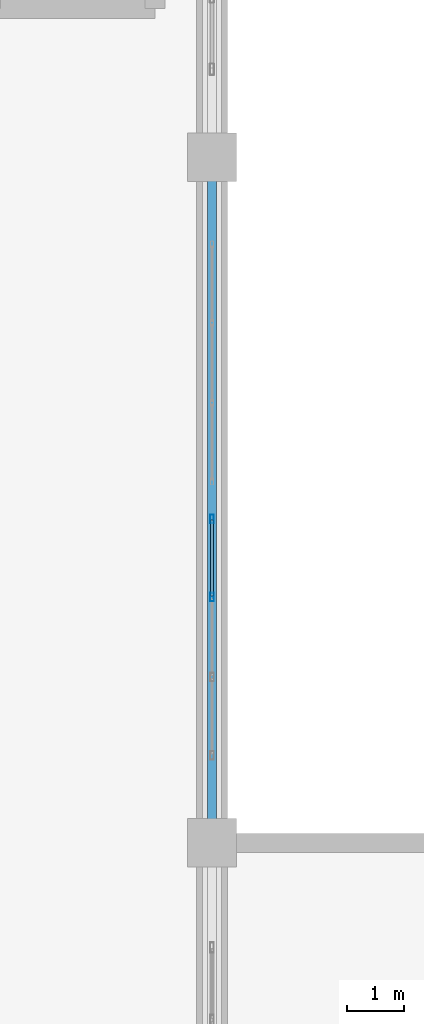
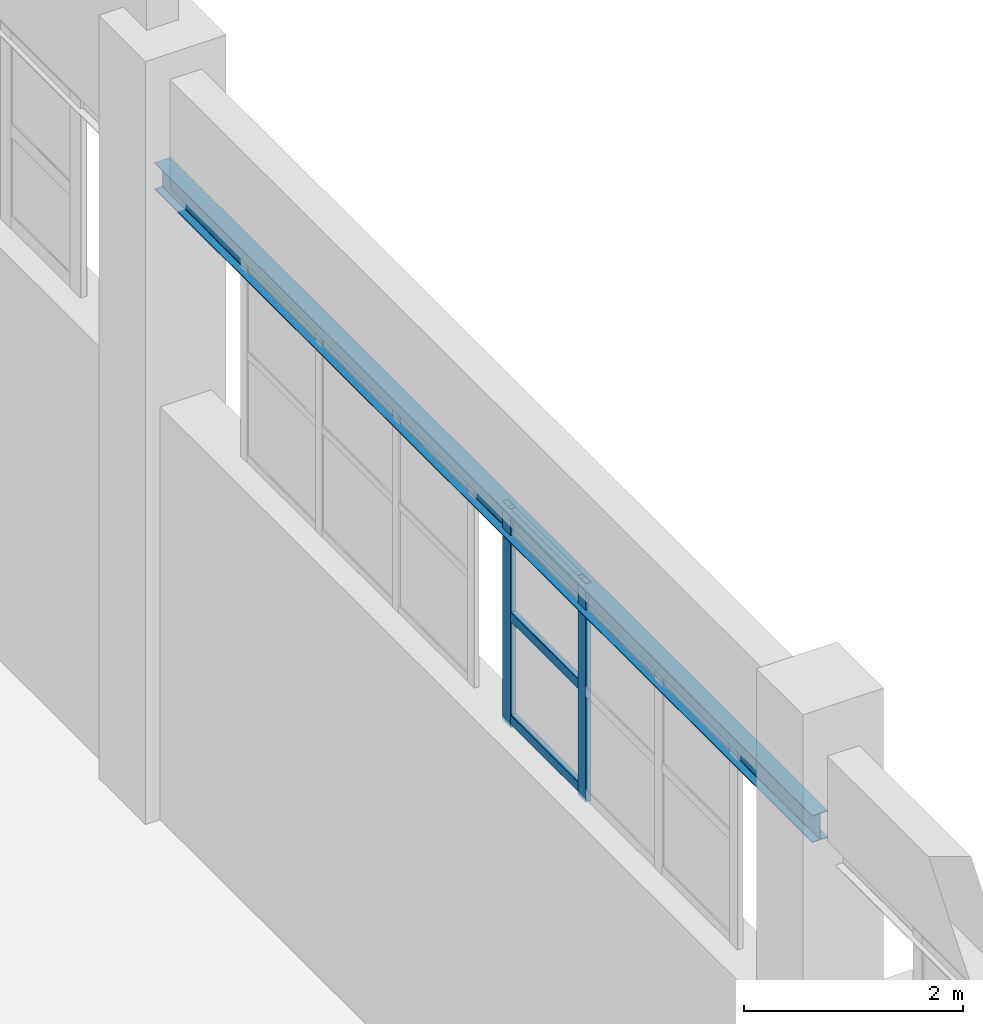
# One storey, part 59 of 97: 5 members, 1 beam, 1 element without a shape of its own.
"""IFC4 building model written with IfcOpenShell, lengths in metres."""

from ifc_helpers import new_model, si_unit, derived_unit, direction, frame, origin, origin_2d, place, context, subcontext, project, spatial, hollow_rectangle, i_section, extrude, material, layer, layer_set, material_profile, profile_set, type_object, element, aggregate, save


model = new_model("IFC4")

# Units and contexts
model_context = context("Model", 3, precision=1e-05, world=origin(), true_north=direction((0.0, 1.0)))
body_context = subcontext(model_context, "Body", "Model", "MODEL_VIEW")
ifc_project = project(units=[si_unit("LENGTHUNIT", "METRE"), si_unit("AREAUNIT", "SQUARE_METRE"), si_unit("VOLUMEUNIT", "CUBIC_METRE"), si_unit("PLANEANGLEUNIT", "RADIAN"), si_unit("MASSUNIT", "GRAM", prefix="KILO"), derived_unit("THERMALTRANSMITTANCEUNIT", [(si_unit("POWERUNIT", "WATT"), 1), (si_unit("LENGTHUNIT", "METRE"), -2), (si_unit("THERMODYNAMICTEMPERATUREUNIT", "KELVIN"), -1)])], contexts=[model_context])

# Site, building, storey
site_placement = place(None, origin())
site = spatial("IfcSite", under=ifc_project, at=site_placement, CompositionType="ELEMENT")
building_placement = place(site_placement, origin())
building = spatial("IfcBuilding", under=site, at=building_placement, Name="Almenara Railside Exhibition Hall", CompositionType="ELEMENT")
storey_placement = place(building_placement, frame((0.0, 0.0, 10.800048828125)))
storey = spatial("IfcBuildingStorey", under=building, at=storey_placement, Name="L02", CompositionType="ELEMENT", Elevation=10.800048828125)

# Curtain wall, members
ifc_material_1 = material(Name="Bronze-anodised aluminium and low-E double glazing", Category="aluminium")
ifc_layer = layer(ifc_material_1, 0.179931640625, Name="Bronze-anodised aluminium and low-E double glazing")
ifc_layer_set = layer_set([ifc_layer], Name="Bronze-anodised aluminium and low-E double glazing")
curtain_wall_type = type_object("IfcCurtainWallType", Name="West Hall Clerestory Curtain Wall 4200x2400", PredefinedType="NOTDEFINED", material=ifc_layer_set)
curtain_wall_placement = place(storey_placement, origin())
curtain_wall = element("IfcCurtainWall", 1, at=curtain_wall_placement, inside=storey, type_object=curtain_wall_type, Name="Curtain wall CW-CL1-021", PredefinedType="NOTDEFINED")
ifc_material_2 = material(Name="Bronze-anodised aluminium", Category="aluminium")
ifc_material_profile_1 = material_profile(ifc_material_2, hollow_rectangle(XDim=0.06005859375, YDim=0.14990234375, WallThickness=0.00341796875, InnerFilletRadius=0.00341796875, OuterFilletRadius=0.007080078125, at=origin_2d()), Name="ALU-MUL 60x150x3.5")
ifc_profile_set_1 = profile_set([ifc_material_profile_1], Name="Bronze-anodised aluminium")
member_type_1 = type_object("IfcMemberType", Name="Curtain Wall Mullion 60x150x3.5", PredefinedType="MULLION", material=ifc_profile_set_1)
member_1_placement = place(storey_placement, frame((66.0, 112.300048828125, 4.56494140625), z_axis=(0.0, 0.0, 1.0), x_axis=(-1.0, 0.0, 0.0)))
member_1 = element("IfcMember", 2, at=member_1_placement, type_object=member_type_1, Name="CW-CL1-021 mullion 3", PredefinedType="MULLION", context=body_context, shape_type="SweptSolid", body=[
    extrude(hollow_rectangle(XDim=0.06005859375, YDim=0.14990234375, WallThickness=0.00341796875, InnerFilletRadius=0.00341796875, OuterFilletRadius=0.007080078125, at=origin_2d()), origin(), (0.0, 0.0, 1.0), 2.43505859375),
])
member_2_placement = place(storey_placement, frame((66.0, 113.669921875, 4.56494140625), z_axis=(0.0, 0.0, 1.0), x_axis=(-1.0, 0.0, 0.0)))
member_2 = element("IfcMember", 3, at=member_2_placement, type_object=member_type_1, Name="CW-CL1-021 mullion 4", PredefinedType="MULLION", context=body_context, shape_type="SweptSolid", body=[
    extrude(hollow_rectangle(XDim=0.06005859375, YDim=0.14990234375, WallThickness=0.00341796875, InnerFilletRadius=0.00341796875, OuterFilletRadius=0.007080078125, at=origin_2d()), origin(), (0.0, 0.0, 1.0), 2.43505859375),
])
ifc_material_profile_2 = material_profile(ifc_material_2, hollow_rectangle(XDim=0.06005859375, YDim=0.110107421875, WallThickness=0.0029296875, InnerFilletRadius=0.0029296875, OuterFilletRadius=0.006103515625, at=origin_2d()), Name="ALU-TRN 60x110x3")
ifc_profile_set_2 = profile_set([ifc_material_profile_2], Name="Bronze-anodised aluminium")
member_type_2 = type_object("IfcMemberType", Name="Curtain Wall Transom 60x110x3", PredefinedType="USERDEFINED", material=ifc_profile_set_2)
member_3_placement = place(storey_placement, frame((66.0, 112.322021484375, 4.655029296875), z_axis=(0.0, 1.0, 0.0), x_axis=(-1.0, 0.0, 0.0)))
member_3 = element("IfcMember", 4, at=member_3_placement, type_object=member_type_2, Name="CW-CL1-021 transom 3.1", ObjectType="TRANSOM", PredefinedType="USERDEFINED", context=body_context, shape_type="SweptSolid", body=[
    extrude(hollow_rectangle(XDim=0.06005859375, YDim=0.110107421875, WallThickness=0.0029296875, InnerFilletRadius=0.0029296875, OuterFilletRadius=0.006103515625, at=origin_2d()), origin(), (0.0, 0.0, 1.0), 1.325927734375),
])
member_4_placement = place(storey_placement, frame((66.0, 112.322021484375, 5.800048828125), z_axis=(0.0, 1.0, 0.0), x_axis=(-1.0, 0.0, 0.0)))
member_4 = element("IfcMember", 5, at=member_4_placement, type_object=member_type_2, Name="CW-CL1-021 transom 3.2", ObjectType="TRANSOM", PredefinedType="USERDEFINED", context=body_context, shape_type="SweptSolid", body=[
    extrude(hollow_rectangle(XDim=0.06005859375, YDim=0.110107421875, WallThickness=0.0029296875, InnerFilletRadius=0.0029296875, OuterFilletRadius=0.006103515625, at=origin_2d()), origin(), (0.0, 0.0, 1.0), 1.325927734375),
])
member_5_placement = place(storey_placement, frame((66.0, 112.322021484375, 6.945068359375), z_axis=(0.0, 1.0, 0.0), x_axis=(-1.0, 0.0, 0.0)))
member_5 = element("IfcMember", 6, at=member_5_placement, type_object=member_type_2, Name="CW-CL1-021 transom 3.3", ObjectType="TRANSOM", PredefinedType="USERDEFINED", context=body_context, shape_type="SweptSolid", body=[
    extrude(hollow_rectangle(XDim=0.06005859375, YDim=0.110107421875, WallThickness=0.0029296875, InnerFilletRadius=0.0029296875, OuterFilletRadius=0.006103515625, at=origin_2d()), origin(), (0.0, 0.0, 1.0), 1.325927734375),
])
aggregate(curtain_wall, [member_1, member_2, member_3, member_4, member_5])

# Beam
ifc_material_3 = material(Name="Structural steel S355JR", Category="steel")
ifc_material_profile_3 = material_profile(ifc_material_3, i_section(OverallWidth=0.1650390625, OverallDepth=0.303466796875, WebThickness=0.006103515625, FlangeThickness=0.01025390625, FilletRadius=0.0087890625, at=origin_2d()), Name="UB 305x165x40")
ifc_profile_set_3 = profile_set([ifc_material_profile_3], Name="Structural steel S355JR")
beam_type = type_object("IfcBeamType", Name="Steel Canopy Edge Spandrel UB 305x165x40 S355JR", PredefinedType="SPANDREL", material=ifc_profile_set_3)
beam_placement = place(storey_placement, frame((66.0, 108.0, 6.84814453125), z_axis=(0.0, 1.0, 0.0), x_axis=(-1.0, 0.0, 0.0)))
element("IfcBeam", 7, at=beam_placement, inside=storey, type_object=beam_type, Name="BM-CRNLNT-V1-66-108", PredefinedType="SPANDREL", context=body_context, shape_type="SweptSolid", body=[
    extrude(i_section(OverallWidth=0.1650390625, OverallDepth=0.303466796875, WebThickness=0.006103515625, FlangeThickness=0.01025390625, FilletRadius=0.0087890625, at=origin_2d()), origin(), (0.0, 0.0, 1.0), 12.0),
])

save(model, "model.ifc")
